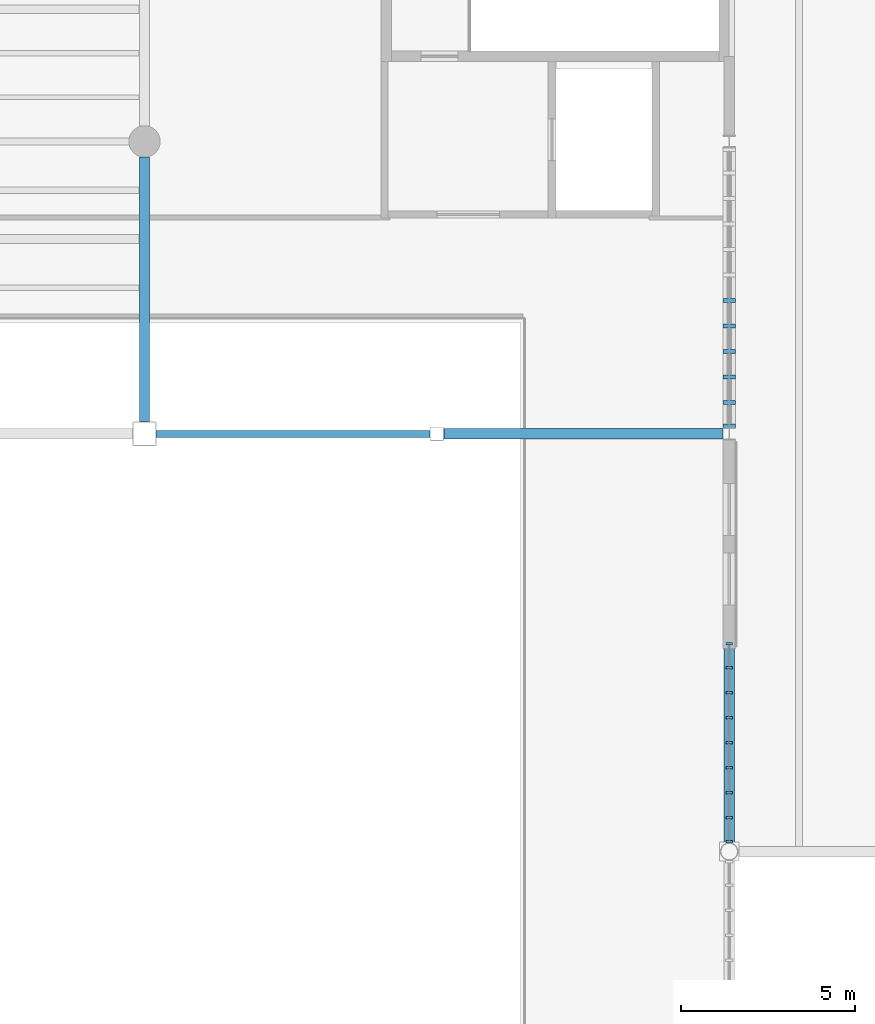
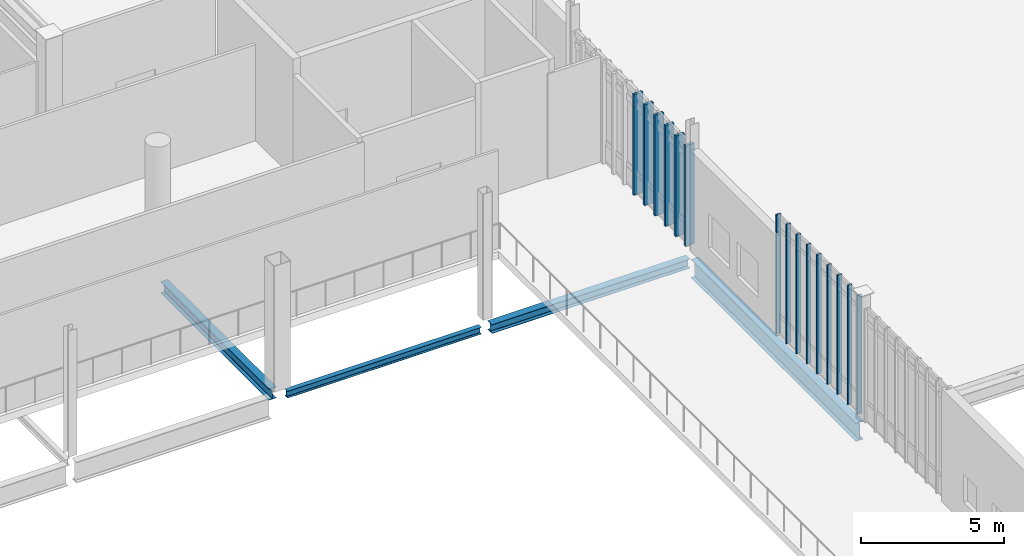
# One storey, part 26 of 135: 15 members, 4 beams, 2 elements without a shape of their own.
"""IFC4 building model written with IfcOpenShell, lengths in metres."""

from ifc_helpers import new_model, si_unit, direction, frame, origin, origin_2d, place, context, subcontext, project, spatial, rectangle, i_section, extrude, material, material_profile, profile_set, type_object, element, aggregate, save


model = new_model("IFC4")

# Units and contexts
model_context = context("Model", 3, precision=1e-05, world=origin(), true_north=direction((0.0, 1.0)))
body_context = subcontext(model_context, "Body", "Model", "MODEL_VIEW")
ifc_project = project(units=[si_unit("LENGTHUNIT", "METRE"), si_unit("AREAUNIT", "SQUARE_METRE"), si_unit("VOLUMEUNIT", "CUBIC_METRE"), si_unit("PLANEANGLEUNIT", "RADIAN"), si_unit("MASSUNIT", "GRAM", prefix="KILO")], contexts=[model_context])

# Site, building, storey
site_placement = place(None, origin())
site = spatial("IfcSite", under=ifc_project, at=site_placement, CompositionType="ELEMENT")
building_placement = place(site_placement, origin())
building = spatial("IfcBuilding", under=site, at=building_placement, Name="Larkvane Passage Sports Hall", CompositionType="ELEMENT")
storey_placement = place(building_placement, frame((0.0, 0.0, 16.800048828125)))
storey = spatial("IfcBuildingStorey", under=building, at=storey_placement, Name="L03", CompositionType="ELEMENT", Elevation=16.800048828125)

# Beams
ifc_material_1 = material(Name="Steel S355JR", Category="steel")
ifc_material_profile_1 = material_profile(ifc_material_1, i_section(OverallWidth=0.199951171875, OverallDepth=0.2939453125, WebThickness=0.008056640625, FlangeThickness=0.011962890625, FilletRadius=0.012939453125, at=origin_2d()), Name="H-294x200x8x12")
ifc_profile_set_1 = profile_set([ifc_material_profile_1], Name="Steel S355JR")
beam_type_1 = type_object("IfcBeamType", Name="BM-STL-H294", PredefinedType="BEAM", material=ifc_profile_set_1)
beam_1_placement = place(storey_placement, frame((77.14990234375, 75.60009765625, -0.487060546875), z_axis=(1.0, 0.0, 0.0), x_axis=(0.0, 1.0, 0.0)))
element("IfcBeam", 1, at=beam_1_placement, inside=storey, type_object=beam_type_1, Name="Girder BM5-X-L03-J-1002", PredefinedType="BEAM", context=body_context, shape_type="SweptSolid", body=[
    extrude(i_section(OverallWidth=0.199951171875, OverallDepth=0.2939453125, WebThickness=0.008056640625, FlangeThickness=0.011962890625, FilletRadius=0.012939453125, at=origin_2d()), origin(), (0.0, 0.0, 1.0), 7.85009765625),
])
ifc_material_profile_2 = material_profile(ifc_material_1, i_section(OverallWidth=0.300048828125, OverallDepth=0.389892578125, WebThickness=0.010009765625, FlangeThickness=0.01611328125, FilletRadius=0.01806640625, at=origin_2d()), Name="H-390x300x10x16")
ifc_profile_set_2 = profile_set([ifc_material_profile_2], Name="Steel S355JR")
beam_type_2 = type_object("IfcBeamType", Name="BM-STL-H390", PredefinedType="BEAM", material=ifc_profile_set_2)
beam_2_placement = place(storey_placement, frame((85.39990234375, 75.60009765625, -0.53515625), z_axis=(1.0, 0.0, 0.0), x_axis=(0.0, 1.0, 0.0)))
element("IfcBeam", 2, at=beam_2_placement, inside=storey, type_object=beam_type_2, Name="Girder BM5-X-L03-J-1003", PredefinedType="BEAM", context=body_context, shape_type="SweptSolid", body=[
    extrude(i_section(OverallWidth=0.300048828125, OverallDepth=0.389892578125, WebThickness=0.010009765625, FlangeThickness=0.01611328125, FilletRadius=0.01806640625, at=origin_2d()), origin(), (0.0, 0.0, 1.0), 8.025146484375),
])
ifc_material_profile_3 = material_profile(ifc_material_1, i_section(OverallWidth=0.300048828125, OverallDepth=0.488037109375, WebThickness=0.010986328125, FlangeThickness=0.01806640625, FilletRadius=0.02197265625, at=origin_2d()), Name="H-488x300x11x18")
ifc_profile_set_3 = profile_set([ifc_material_profile_3], Name="Steel S355JR")
beam_type_3 = type_object("IfcBeamType", Name="BM-STL-H488", PredefinedType="BEAM", material=ifc_profile_set_3)
beam_3_placement = place(storey_placement, frame((76.800048828125, 75.949951171875, -0.583984375), z_axis=(0.0, 1.0, 0.0), x_axis=(-1.0, 0.0, 0.0)))
element("IfcBeam", 3, at=beam_3_placement, inside=storey, type_object=beam_type_3, Name="Girder BM5-Y-L03-11-1031", PredefinedType="BEAM", context=body_context, shape_type="SweptSolid", body=[
    extrude(i_section(OverallWidth=0.300048828125, OverallDepth=0.488037109375, WebThickness=0.010986328125, FlangeThickness=0.01806640625, FilletRadius=0.02197265625, at=origin_2d()), origin(), (0.0, 0.0, 1.0), 7.60009765625),
])
ifc_material_2 = material(Name="Steel S460N", Category="steel")
ifc_material_profile_4 = material_profile(ifc_material_2, i_section(OverallWidth=0.300048828125, OverallDepth=0.7919921875, WebThickness=0.013916015625, FlangeThickness=0.02197265625, FilletRadius=0.02197265625, at=origin_2d()), Name="H-792x300x14x22")
ifc_profile_set_4 = profile_set([ifc_material_profile_4], Name="Steel S460N")
beam_type_4 = type_object("IfcBeamType", Name="BM-STL-H792", PredefinedType="BEAM", material=ifc_profile_set_4)
beam_4_placement = place(storey_placement, frame((93.60009765625, 63.85400390625, -0.736083984375), z_axis=(0.0, 1.0, 0.0), x_axis=(-1.0, 0.0, 0.0)))
element("IfcBeam", 4, at=beam_4_placement, inside=storey, type_object=beam_type_4, Name="Girder BM5-Y-L03-13-1036", PredefinedType="BEAM", context=body_context, shape_type="SweptSolid", body=[
    extrude(i_section(OverallWidth=0.300048828125, OverallDepth=0.7919921875, WebThickness=0.013916015625, FlangeThickness=0.02197265625, FilletRadius=0.02197265625, at=origin_2d()), origin(), (0.0, 0.0, 1.0), 11.571044921875),
])

# Curtain wall, members
ifc_material_3 = material(Name="Thermally broken aluminium and low-E glazing", Category="aluminium")
curtain_wall_type_1 = type_object("IfcCurtainWallType", Name="CW-CLINIC", PredefinedType="USERDEFINED", material=ifc_material_3)
curtain_wall_1_placement = place(storey_placement, origin())
curtain_wall_1 = element("IfcCurtainWall", 5, at=curtain_wall_1_placement, inside=storey, type_object=curtain_wall_type_1, Name="Curtain wall CW5-L03-143", ObjectType="UNITISED CURTAIN WALL", PredefinedType="USERDEFINED")
ifc_material_4 = material(Name="Anodised aluminium 6063-T6", Category="aluminium")
ifc_material_profile_5 = material_profile(ifc_material_4, rectangle(XDim=0.110107421875, YDim=0.360107421875, at=origin_2d()), Name="ALU-MUL-110x360")
ifc_profile_set_5 = profile_set([ifc_material_profile_5], Name="Anodised aluminium 6063-T6")
member_type_1 = type_object("IfcMemberType", Name="CW-MUL-110x360", PredefinedType="MULLION", material=ifc_profile_set_5)
member_1_placement = place(storey_placement, frame((93.60009765625, 79.433837890625, 0.0), z_axis=(0.0, 0.0, 1.0), x_axis=(0.0, -1.0, 0.0)))
member_1 = element("IfcMember", 6, at=member_1_placement, type_object=member_type_1, Name="CW-05 mullion 7", PredefinedType="MULLION", context=body_context, shape_type="SweptSolid", body=[
    extrude(rectangle(XDim=0.110107421875, YDim=0.360107421875, at=origin_2d()), origin(), (0.0, 0.0, 1.0), 4.31591796875),
])
member_2_placement = place(storey_placement, frame((93.60009765625, 78.701171875, 0.0), z_axis=(0.0, 0.0, 1.0), x_axis=(0.0, -1.0, 0.0)))
member_2 = element("IfcMember", 7, at=member_2_placement, type_object=member_type_1, Name="CW-05 mullion 8", PredefinedType="MULLION", context=body_context, shape_type="SweptSolid", body=[
    extrude(rectangle(XDim=0.110107421875, YDim=0.360107421875, at=origin_2d()), origin(), (0.0, 0.0, 1.0), 4.31591796875),
])
member_3_placement = place(storey_placement, frame((93.60009765625, 77.96875, 0.0), z_axis=(0.0, 0.0, 1.0), x_axis=(0.0, -1.0, 0.0)))
member_3 = element("IfcMember", 8, at=member_3_placement, type_object=member_type_1, Name="CW-05 mullion 9", PredefinedType="MULLION", context=body_context, shape_type="SweptSolid", body=[
    extrude(rectangle(XDim=0.110107421875, YDim=0.360107421875, at=origin_2d()), origin(), (0.0, 0.0, 1.0), 4.31591796875),
])
member_4_placement = place(storey_placement, frame((93.60009765625, 77.236083984375, 0.0), z_axis=(0.0, 0.0, 1.0), x_axis=(0.0, -1.0, 0.0)))
member_4 = element("IfcMember", 9, at=member_4_placement, type_object=member_type_1, Name="CW-05 mullion 10", PredefinedType="MULLION", context=body_context, shape_type="SweptSolid", body=[
    extrude(rectangle(XDim=0.110107421875, YDim=0.360107421875, at=origin_2d()), origin(), (0.0, 0.0, 1.0), 4.31591796875),
])
member_5_placement = place(storey_placement, frame((93.60009765625, 76.503662109375, 0.0), z_axis=(0.0, 0.0, 1.0), x_axis=(0.0, -1.0, 0.0)))
member_5 = element("IfcMember", 10, at=member_5_placement, type_object=member_type_1, Name="CW-05 mullion 11", PredefinedType="MULLION", context=body_context, shape_type="SweptSolid", body=[
    extrude(rectangle(XDim=0.110107421875, YDim=0.360107421875, at=origin_2d()), origin(), (0.0, 0.0, 1.0), 4.31591796875),
])
member_6_placement = place(storey_placement, frame((93.60009765625, 75.825927734375, 0.0), z_axis=(0.0, 0.0, 1.0), x_axis=(0.0, -1.0, 0.0)))
member_6 = element("IfcMember", 11, at=member_6_placement, type_object=member_type_1, Name="CW-05 mullion 12", PredefinedType="MULLION", context=body_context, shape_type="SweptSolid", body=[
    extrude(rectangle(XDim=0.110107421875, YDim=0.360107421875, at=origin_2d()), origin(), (0.0, 0.0, 1.0), 4.31591796875),
])
aggregate(curtain_wall_1, [member_1, member_2, member_3, member_4, member_5, member_6])

curtain_wall_type_2 = type_object("IfcCurtainWallType", Name="CW-UNIT-COURT", PredefinedType="USERDEFINED", material=ifc_material_3)
curtain_wall_2_placement = place(storey_placement, origin())
curtain_wall_2 = element("IfcCurtainWall", 12, at=curtain_wall_2_placement, inside=storey, type_object=curtain_wall_type_2, Name="Curtain wall CW5-L03-144", ObjectType="UNITISED CURTAIN WALL", PredefinedType="USERDEFINED")
ifc_material_profile_6 = material_profile(ifc_material_4, rectangle(XDim=0.06494140625, YDim=0.179931640625, at=origin_2d()), Name="ALU-MUL-65x180")
ifc_profile_set_6 = profile_set([ifc_material_profile_6], Name="Anodised aluminium 6063-T6")
member_type_2 = type_object("IfcMemberType", Name="CW-MUL-65x180", PredefinedType="MULLION", material=ifc_profile_set_6)
member_7_placement = place(storey_placement, frame((93.60009765625, 69.5673828125, 0.0), z_axis=(0.0, 0.0, 1.0), x_axis=(0.0, -1.0, 0.0)))
member_7 = element("IfcMember", 13, at=member_7_placement, type_object=member_type_2, Name="CW-01 mullion 1", PredefinedType="MULLION", context=body_context, shape_type="SweptSolid", body=[
    extrude(rectangle(XDim=0.06494140625, YDim=0.179931640625, at=origin_2d()), origin(), (0.0, 0.0, 1.0), 5.099853515625),
])
member_8_placement = place(storey_placement, frame((93.60009765625, 68.88134765625, 0.0), z_axis=(0.0, 0.0, 1.0), x_axis=(0.0, -1.0, 0.0)))
member_8 = element("IfcMember", 14, at=member_8_placement, type_object=member_type_2, Name="CW-01 mullion 2", PredefinedType="MULLION", context=body_context, shape_type="SweptSolid", body=[
    extrude(rectangle(XDim=0.06494140625, YDim=0.179931640625, at=origin_2d()), origin(), (0.0, 0.0, 1.0), 5.099853515625),
])
member_9_placement = place(storey_placement, frame((93.60009765625, 68.16259765625, 0.0), z_axis=(0.0, 0.0, 1.0), x_axis=(0.0, -1.0, 0.0)))
member_9 = element("IfcMember", 15, at=member_9_placement, type_object=member_type_2, Name="CW-01 mullion 3", PredefinedType="MULLION", context=body_context, shape_type="SweptSolid", body=[
    extrude(rectangle(XDim=0.06494140625, YDim=0.179931640625, at=origin_2d()), origin(), (0.0, 0.0, 1.0), 5.099853515625),
])
member_10_placement = place(storey_placement, frame((93.60009765625, 67.44384765625, 0.0), z_axis=(0.0, 0.0, 1.0), x_axis=(0.0, -1.0, 0.0)))
member_10 = element("IfcMember", 16, at=member_10_placement, type_object=member_type_2, Name="CW-01 mullion 4", PredefinedType="MULLION", context=body_context, shape_type="SweptSolid", body=[
    extrude(rectangle(XDim=0.06494140625, YDim=0.179931640625, at=origin_2d()), origin(), (0.0, 0.0, 1.0), 5.099853515625),
])
member_11_placement = place(storey_placement, frame((93.60009765625, 66.72509765625, 0.0), z_axis=(0.0, 0.0, 1.0), x_axis=(0.0, -1.0, 0.0)))
member_11 = element("IfcMember", 17, at=member_11_placement, type_object=member_type_2, Name="CW-01 mullion 5", PredefinedType="MULLION", context=body_context, shape_type="SweptSolid", body=[
    extrude(rectangle(XDim=0.06494140625, YDim=0.179931640625, at=origin_2d()), origin(), (0.0, 0.0, 1.0), 5.099853515625),
])
member_12_placement = place(storey_placement, frame((93.60009765625, 66.00634765625, 0.0), z_axis=(0.0, 0.0, 1.0), x_axis=(0.0, -1.0, 0.0)))
member_12 = element("IfcMember", 18, at=member_12_placement, type_object=member_type_2, Name="CW-01 mullion 6", PredefinedType="MULLION", context=body_context, shape_type="SweptSolid", body=[
    extrude(rectangle(XDim=0.06494140625, YDim=0.179931640625, at=origin_2d()), origin(), (0.0, 0.0, 1.0), 5.099853515625),
])
member_13_placement = place(storey_placement, frame((93.60009765625, 65.28759765625, 0.0), z_axis=(0.0, 0.0, 1.0), x_axis=(0.0, -1.0, 0.0)))
member_13 = element("IfcMember", 19, at=member_13_placement, type_object=member_type_2, Name="CW-01 mullion 7", PredefinedType="MULLION", context=body_context, shape_type="SweptSolid", body=[
    extrude(rectangle(XDim=0.06494140625, YDim=0.179931640625, at=origin_2d()), origin(), (0.0, 0.0, 1.0), 5.099853515625),
])
member_14_placement = place(storey_placement, frame((93.60009765625, 64.56884765625, 0.0), z_axis=(0.0, 0.0, 1.0), x_axis=(0.0, -1.0, 0.0)))
member_14 = element("IfcMember", 20, at=member_14_placement, type_object=member_type_2, Name="CW-01 mullion 8", PredefinedType="MULLION", context=body_context, shape_type="SweptSolid", body=[
    extrude(rectangle(XDim=0.06494140625, YDim=0.179931640625, at=origin_2d()), origin(), (0.0, 0.0, 1.0), 5.099853515625),
])
member_15_placement = place(storey_placement, frame((93.60009765625, 63.882568359375, 0.0), z_axis=(0.0, 0.0, 1.0), x_axis=(0.0, -1.0, 0.0)))
member_15 = element("IfcMember", 21, at=member_15_placement, type_object=member_type_2, Name="CW-01 mullion 9", PredefinedType="MULLION", context=body_context, shape_type="SweptSolid", body=[
    extrude(rectangle(XDim=0.06494140625, YDim=0.179931640625, at=origin_2d()), origin(), (0.0, 0.0, 1.0), 5.099853515625),
])
aggregate(curtain_wall_2, [member_7, member_8, member_9, member_10, member_11, member_12, member_13, member_14, member_15])

save(model, "model.ifc")
